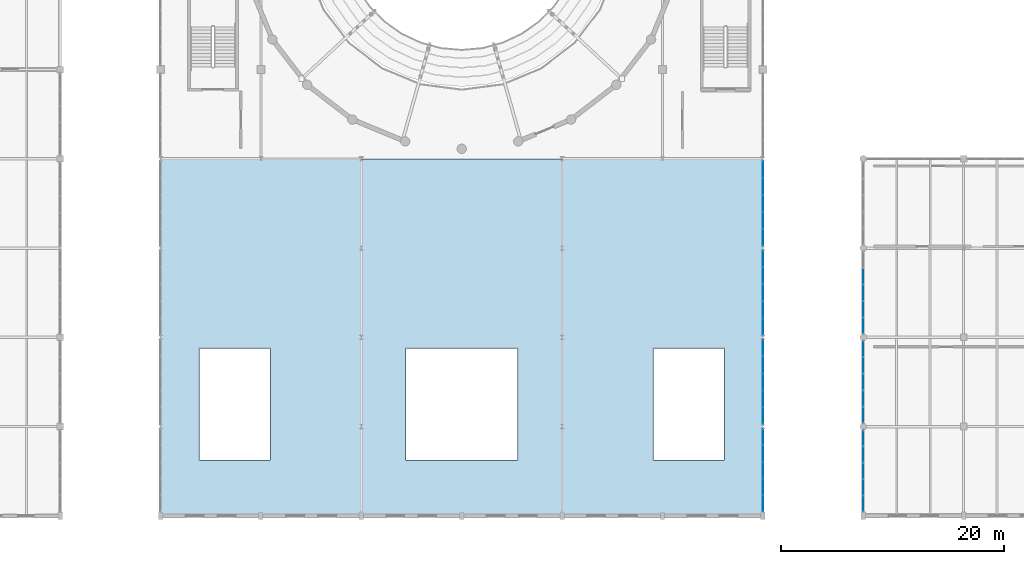
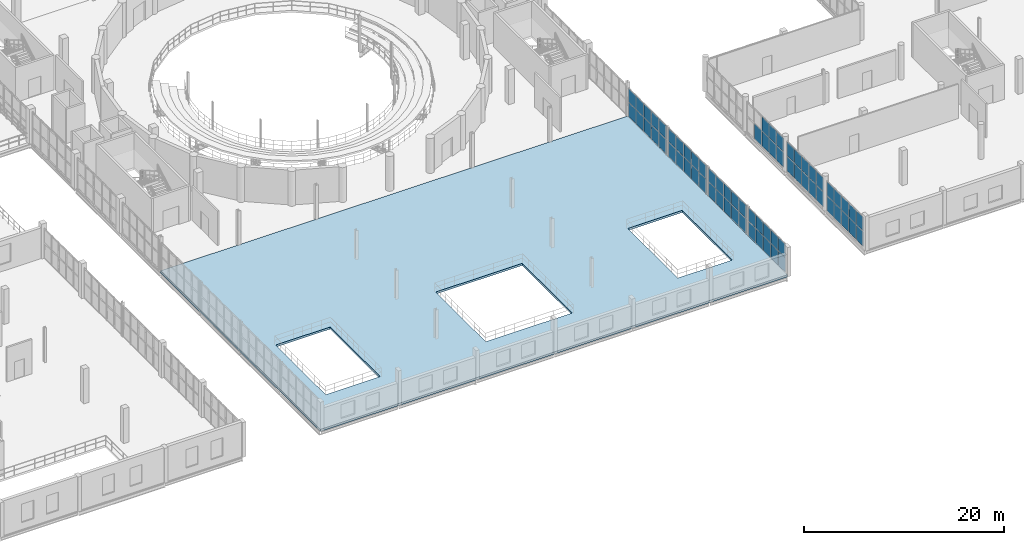
# One storey, part 47 of 73: 67 plates, 1 slab, 7 elements without a shape of their own.
"""IFC4 building model written with IfcOpenShell, lengths in metres."""

from ifc_helpers import new_model, si_unit, direction, frame, origin, origin_2d, place, context, subcontext, project, spatial, polyline, rectangle, outline, extrude, material, layer, layer_set, type_object, element, aggregate, save


model = new_model("IFC4")

# Units and contexts
model_context = context("Model", 3, precision=1e-05, world=origin(), true_north=direction((0.0, 1.0)))
body_context = subcontext(model_context, "Body", "Model", "MODEL_VIEW")
ifc_project = project(units=[si_unit("LENGTHUNIT", "METRE"), si_unit("AREAUNIT", "SQUARE_METRE"), si_unit("VOLUMEUNIT", "CUBIC_METRE"), si_unit("PLANEANGLEUNIT", "RADIAN"), si_unit("MASSUNIT", "GRAM", prefix="KILO")], contexts=[model_context])

# Site, building, storey
site_placement = place(None, origin())
site = spatial("IfcSite", under=ifc_project, at=site_placement, CompositionType="ELEMENT")
building_placement = place(site_placement, origin())
building = spatial("IfcBuilding", under=site, at=building_placement, Name="Marnock Terrace Opera House", CompositionType="ELEMENT")
storey_placement = place(building_placement, frame((0.0, 0.0, 14.699951171875)))
storey = spatial("IfcBuildingStorey", under=building, at=storey_placement, Name="L03", CompositionType="ELEMENT", Elevation=14.699951171875)

# Curtain wall, plates
ifc_material_1 = material(Name="Anodised architectural bronze aluminium framing", Category="aluminium")
ifc_layer_1 = layer(ifc_material_1, 0.159912109375)
ifc_layer_set_1 = layer_set([ifc_layer_1], Name="Anodised architectural bronze aluminium framing")
curtain_wall_type_1 = type_object("IfcCurtainWallType", Name="CW-FOYER-80x42", PredefinedType="NOTDEFINED", material=ifc_layer_set_1)
curtain_wall_1_placement = place(storey_placement, origin())
curtain_wall_1 = element("IfcCurtainWall", 1, at=curtain_wall_1_placement, inside=storey, type_object=curtain_wall_type_1, Name="L03 glazed Beaux-Arts colonnade curtain wall CW-V1E-L03-01", PredefinedType="NOTDEFINED")
ifc_material_2 = material(Name="Double-glazed acoustic low-E laminated glass", Category="glass")
ifc_layer_2 = layer(ifc_material_2, 0.028076171875)
ifc_layer_set_2 = layer_set([ifc_layer_2], Name="Double-glazed acoustic low-E laminated glass")
plate_type = type_object("IfcPlateType", Name="CWP-GLZ-28", PredefinedType="CURTAIN_PANEL", material=ifc_layer_set_2)
plate_1_placement = place(storey_placement, frame((109.0, 9.109375, 0.06005859375), z_axis=(0.0, 0.0, 1.0), x_axis=(0.0, 1.0, 0.0)))
plate_1 = element("IfcPlate", 2, at=plate_1_placement, type_object=plate_type, Name="CW-62 panel 1.1", PredefinedType="CURTAIN_PANEL", context=body_context, shape_type="SweptSolid", body=[
    extrude(rectangle(XDim=1.406494140625, YDim=0.028076171875, at=origin_2d()), origin(), (0.0, 0.0, 1.0), 1.75390625),
])
plate_2_placement = place(storey_placement, frame((109.0, 9.109375, 1.8740234375), z_axis=(0.0, 0.0, 1.0), x_axis=(0.0, 1.0, 0.0)))
plate_2 = element("IfcPlate", 3, at=plate_2_placement, type_object=plate_type, Name="CW-62 panel 1.2", PredefinedType="CURTAIN_PANEL", context=body_context, shape_type="SweptSolid", body=[
    extrude(rectangle(XDim=1.406494140625, YDim=0.028076171875, at=origin_2d()), origin(), (0.0, 0.0, 1.0), 1.612060546875),
])
plate_3_placement = place(storey_placement, frame((109.0, 10.5908203125, 0.06005859375), z_axis=(0.0, 0.0, 1.0), x_axis=(0.0, 1.0, 0.0)))
plate_3 = element("IfcPlate", 4, at=plate_3_placement, type_object=plate_type, Name="CW-62 panel 2.1", PredefinedType="CURTAIN_PANEL", context=body_context, shape_type="SweptSolid", body=[
    extrude(rectangle(XDim=1.4365234375, YDim=0.028076171875, at=origin_2d()), origin(), (0.0, 0.0, 1.0), 1.75390625),
])
plate_4_placement = place(storey_placement, frame((109.0, 10.5908203125, 1.8740234375), z_axis=(0.0, 0.0, 1.0), x_axis=(0.0, 1.0, 0.0)))
plate_4 = element("IfcPlate", 5, at=plate_4_placement, type_object=plate_type, Name="CW-62 panel 2.2", PredefinedType="CURTAIN_PANEL", context=body_context, shape_type="SweptSolid", body=[
    extrude(rectangle(XDim=1.4365234375, YDim=0.028076171875, at=origin_2d()), origin(), (0.0, 0.0, 1.0), 1.612060546875),
])
plate_5_placement = place(storey_placement, frame((109.0, 12.08740234375, 0.06005859375), z_axis=(0.0, 0.0, 1.0), x_axis=(0.0, 1.0, 0.0)))
plate_5 = element("IfcPlate", 6, at=plate_5_placement, type_object=plate_type, Name="CW-62 panel 3.1", PredefinedType="CURTAIN_PANEL", context=body_context, shape_type="SweptSolid", body=[
    extrude(rectangle(XDim=1.4365234375, YDim=0.028076171875, at=origin_2d()), origin(), (0.0, 0.0, 1.0), 1.75390625),
])
plate_6_placement = place(storey_placement, frame((109.0, 12.08740234375, 1.8740234375), z_axis=(0.0, 0.0, 1.0), x_axis=(0.0, 1.0, 0.0)))
plate_6 = element("IfcPlate", 7, at=plate_6_placement, type_object=plate_type, Name="CW-62 panel 3.2", PredefinedType="CURTAIN_PANEL", context=body_context, shape_type="SweptSolid", body=[
    extrude(rectangle(XDim=1.4365234375, YDim=0.028076171875, at=origin_2d()), origin(), (0.0, 0.0, 1.0), 1.612060546875),
])
plate_7_placement = place(storey_placement, frame((109.0, 13.583984375, 0.06005859375), z_axis=(0.0, 0.0, 1.0), x_axis=(0.0, 1.0, 0.0)))
plate_7 = element("IfcPlate", 8, at=plate_7_placement, type_object=plate_type, Name="CW-62 panel 4.1", PredefinedType="CURTAIN_PANEL", context=body_context, shape_type="SweptSolid", body=[
    extrude(rectangle(XDim=1.4365234375, YDim=0.028076171875, at=origin_2d()), origin(), (0.0, 0.0, 1.0), 1.75390625),
])
plate_8_placement = place(storey_placement, frame((109.0, 13.583984375, 1.8740234375), z_axis=(0.0, 0.0, 1.0), x_axis=(0.0, 1.0, 0.0)))
plate_8 = element("IfcPlate", 9, at=plate_8_placement, type_object=plate_type, Name="CW-62 panel 4.2", PredefinedType="CURTAIN_PANEL", context=body_context, shape_type="SweptSolid", body=[
    extrude(rectangle(XDim=1.4365234375, YDim=0.028076171875, at=origin_2d()), origin(), (0.0, 0.0, 1.0), 1.612060546875),
])
plate_9_placement = place(storey_placement, frame((109.0, 15.065673828125, 0.06005859375), z_axis=(0.0, 0.0, 1.0), x_axis=(0.0, 1.0, 0.0)))
plate_9 = element("IfcPlate", 10, at=plate_9_placement, type_object=plate_type, Name="CW-62 panel 5.1", PredefinedType="CURTAIN_PANEL", context=body_context, shape_type="SweptSolid", body=[
    extrude(rectangle(XDim=1.406494140625, YDim=0.028076171875, at=origin_2d()), origin(), (0.0, 0.0, 1.0), 1.75390625),
])
plate_10_placement = place(storey_placement, frame((109.0, 15.065673828125, 1.8740234375), z_axis=(0.0, 0.0, 1.0), x_axis=(0.0, 1.0, 0.0)))
plate_10 = element("IfcPlate", 11, at=plate_10_placement, type_object=plate_type, Name="CW-62 panel 5.2", PredefinedType="CURTAIN_PANEL", context=body_context, shape_type="SweptSolid", body=[
    extrude(rectangle(XDim=1.406494140625, YDim=0.028076171875, at=origin_2d()), origin(), (0.0, 0.0, 1.0), 1.612060546875),
])
aggregate(curtain_wall_1, [plate_1, plate_2, plate_3, plate_4, plate_5, plate_6, plate_7, plate_8, plate_9, plate_10])

curtain_wall_2_placement = place(storey_placement, origin())
curtain_wall_2 = element("IfcCurtainWall", 12, at=curtain_wall_2_placement, inside=storey, type_object=curtain_wall_type_1, Name="L03 glazed Beaux-Arts colonnade curtain wall CW-V1E-L03-02", PredefinedType="NOTDEFINED")
plate_11_placement = place(storey_placement, frame((109.0, 16.951904296875, 0.06005859375), z_axis=(0.0, 0.0, 1.0), x_axis=(0.0, 1.0, 0.0)))
plate_11 = element("IfcPlate", 13, at=plate_11_placement, type_object=plate_type, Name="CW-62 panel 1.1", PredefinedType="CURTAIN_PANEL", context=body_context, shape_type="SweptSolid", body=[
    extrude(rectangle(XDim=1.441650390625, YDim=0.028076171875, at=origin_2d()), origin(), (0.0, 0.0, 1.0), 1.75390625),
])
plate_12_placement = place(storey_placement, frame((109.0, 16.951904296875, 1.8740234375), z_axis=(0.0, 0.0, 1.0), x_axis=(0.0, 1.0, 0.0)))
plate_12 = element("IfcPlate", 14, at=plate_12_placement, type_object=plate_type, Name="CW-62 panel 1.2", PredefinedType="CURTAIN_PANEL", context=body_context, shape_type="SweptSolid", body=[
    extrude(rectangle(XDim=1.441650390625, YDim=0.028076171875, at=origin_2d()), origin(), (0.0, 0.0, 1.0), 1.612060546875),
])
plate_13_placement = place(storey_placement, frame((109.0, 18.468505859375, 0.06005859375), z_axis=(0.0, 0.0, 1.0), x_axis=(0.0, 1.0, 0.0)))
plate_13 = element("IfcPlate", 15, at=plate_13_placement, type_object=plate_type, Name="CW-62 panel 2.1", PredefinedType="CURTAIN_PANEL", context=body_context, shape_type="SweptSolid", body=[
    extrude(rectangle(XDim=1.4716796875, YDim=0.028076171875, at=origin_2d()), origin(), (0.0, 0.0, 1.0), 1.75390625),
])
plate_14_placement = place(storey_placement, frame((109.0, 18.468505859375, 1.8740234375), z_axis=(0.0, 0.0, 1.0), x_axis=(0.0, 1.0, 0.0)))
plate_14 = element("IfcPlate", 16, at=plate_14_placement, type_object=plate_type, Name="CW-62 panel 2.2", PredefinedType="CURTAIN_PANEL", context=body_context, shape_type="SweptSolid", body=[
    extrude(rectangle(XDim=1.4716796875, YDim=0.028076171875, at=origin_2d()), origin(), (0.0, 0.0, 1.0), 1.612060546875),
])
plate_15_placement = place(storey_placement, frame((109.0, 20.0, 0.06005859375), z_axis=(0.0, 0.0, 1.0), x_axis=(0.0, 1.0, 0.0)))
plate_15 = element("IfcPlate", 17, at=plate_15_placement, type_object=plate_type, Name="CW-62 panel 3.1", PredefinedType="CURTAIN_PANEL", context=body_context, shape_type="SweptSolid", body=[
    extrude(rectangle(XDim=1.4716796875, YDim=0.028076171875, at=origin_2d()), origin(), (0.0, 0.0, 1.0), 1.75390625),
])
plate_16_placement = place(storey_placement, frame((109.0, 20.0, 1.8740234375), z_axis=(0.0, 0.0, 1.0), x_axis=(0.0, 1.0, 0.0)))
plate_16 = element("IfcPlate", 18, at=plate_16_placement, type_object=plate_type, Name="CW-62 panel 3.2", PredefinedType="CURTAIN_PANEL", context=body_context, shape_type="SweptSolid", body=[
    extrude(rectangle(XDim=1.4716796875, YDim=0.028076171875, at=origin_2d()), origin(), (0.0, 0.0, 1.0), 1.612060546875),
])
plate_17_placement = place(storey_placement, frame((109.0, 21.531494140625, 0.06005859375), z_axis=(0.0, 0.0, 1.0), x_axis=(0.0, 1.0, 0.0)))
plate_17 = element("IfcPlate", 19, at=plate_17_placement, type_object=plate_type, Name="CW-62 panel 4.1", PredefinedType="CURTAIN_PANEL", context=body_context, shape_type="SweptSolid", body=[
    extrude(rectangle(XDim=1.4716796875, YDim=0.028076171875, at=origin_2d()), origin(), (0.0, 0.0, 1.0), 1.75390625),
])
plate_18_placement = place(storey_placement, frame((109.0, 21.531494140625, 1.8740234375), z_axis=(0.0, 0.0, 1.0), x_axis=(0.0, 1.0, 0.0)))
plate_18 = element("IfcPlate", 20, at=plate_18_placement, type_object=plate_type, Name="CW-62 panel 4.2", PredefinedType="CURTAIN_PANEL", context=body_context, shape_type="SweptSolid", body=[
    extrude(rectangle(XDim=1.4716796875, YDim=0.028076171875, at=origin_2d()), origin(), (0.0, 0.0, 1.0), 1.612060546875),
])
plate_19_placement = place(storey_placement, frame((109.0, 23.048095703125, 0.06005859375), z_axis=(0.0, 0.0, 1.0), x_axis=(0.0, 1.0, 0.0)))
plate_19 = element("IfcPlate", 21, at=plate_19_placement, type_object=plate_type, Name="CW-62 panel 5.1", PredefinedType="CURTAIN_PANEL", context=body_context, shape_type="SweptSolid", body=[
    extrude(rectangle(XDim=1.441650390625, YDim=0.028076171875, at=origin_2d()), origin(), (0.0, 0.0, 1.0), 1.75390625),
])
plate_20_placement = place(storey_placement, frame((109.0, 23.048095703125, 1.8740234375), z_axis=(0.0, 0.0, 1.0), x_axis=(0.0, 1.0, 0.0)))
plate_20 = element("IfcPlate", 22, at=plate_20_placement, type_object=plate_type, Name="CW-62 panel 5.2", PredefinedType="CURTAIN_PANEL", context=body_context, shape_type="SweptSolid", body=[
    extrude(rectangle(XDim=1.441650390625, YDim=0.028076171875, at=origin_2d()), origin(), (0.0, 0.0, 1.0), 1.612060546875),
])
aggregate(curtain_wall_2, [plate_11, plate_12, plate_13, plate_14, plate_15, plate_16, plate_17, plate_18, plate_19, plate_20])

curtain_wall_3_placement = place(storey_placement, origin())
curtain_wall_3 = element("IfcCurtainWall", 23, at=curtain_wall_3_placement, inside=storey, type_object=curtain_wall_type_1, Name="L03 glazed Beaux-Arts colonnade curtain wall CW-V1E-L03-03", PredefinedType="NOTDEFINED")
plate_21_placement = place(storey_placement, frame((109.0, 24.951904296875, 0.06005859375), z_axis=(0.0, 0.0, 1.0), x_axis=(0.0, 1.0, 0.0)))
plate_21 = element("IfcPlate", 24, at=plate_21_placement, type_object=plate_type, Name="CW-62 panel 1.1", PredefinedType="CURTAIN_PANEL", context=body_context, shape_type="SweptSolid", body=[
    extrude(rectangle(XDim=1.441650390625, YDim=0.028076171875, at=origin_2d()), origin(), (0.0, 0.0, 1.0), 1.75390625),
])
plate_22_placement = place(storey_placement, frame((109.0, 24.951904296875, 1.8740234375), z_axis=(0.0, 0.0, 1.0), x_axis=(0.0, 1.0, 0.0)))
plate_22 = element("IfcPlate", 25, at=plate_22_placement, type_object=plate_type, Name="CW-62 panel 1.2", PredefinedType="CURTAIN_PANEL", context=body_context, shape_type="SweptSolid", body=[
    extrude(rectangle(XDim=1.441650390625, YDim=0.028076171875, at=origin_2d()), origin(), (0.0, 0.0, 1.0), 1.612060546875),
])
plate_23_placement = place(storey_placement, frame((109.0, 26.468505859375, 0.06005859375), z_axis=(0.0, 0.0, 1.0), x_axis=(0.0, 1.0, 0.0)))
plate_23 = element("IfcPlate", 26, at=plate_23_placement, type_object=plate_type, Name="CW-62 panel 2.1", PredefinedType="CURTAIN_PANEL", context=body_context, shape_type="SweptSolid", body=[
    extrude(rectangle(XDim=1.4716796875, YDim=0.028076171875, at=origin_2d()), origin(), (0.0, 0.0, 1.0), 1.75390625),
])
plate_24_placement = place(storey_placement, frame((109.0, 26.468505859375, 1.8740234375), z_axis=(0.0, 0.0, 1.0), x_axis=(0.0, 1.0, 0.0)))
plate_24 = element("IfcPlate", 27, at=plate_24_placement, type_object=plate_type, Name="CW-62 panel 2.2", PredefinedType="CURTAIN_PANEL", context=body_context, shape_type="SweptSolid", body=[
    extrude(rectangle(XDim=1.4716796875, YDim=0.028076171875, at=origin_2d()), origin(), (0.0, 0.0, 1.0), 1.612060546875),
])
plate_25_placement = place(storey_placement, frame((109.0, 28.0, 0.06005859375), z_axis=(0.0, 0.0, 1.0), x_axis=(0.0, 1.0, 0.0)))
plate_25 = element("IfcPlate", 28, at=plate_25_placement, type_object=plate_type, Name="CW-62 panel 3.1", PredefinedType="CURTAIN_PANEL", context=body_context, shape_type="SweptSolid", body=[
    extrude(rectangle(XDim=1.4716796875, YDim=0.028076171875, at=origin_2d()), origin(), (0.0, 0.0, 1.0), 1.75390625),
])
plate_26_placement = place(storey_placement, frame((109.0, 28.0, 1.8740234375), z_axis=(0.0, 0.0, 1.0), x_axis=(0.0, 1.0, 0.0)))
plate_26 = element("IfcPlate", 29, at=plate_26_placement, type_object=plate_type, Name="CW-62 panel 3.2", PredefinedType="CURTAIN_PANEL", context=body_context, shape_type="SweptSolid", body=[
    extrude(rectangle(XDim=1.4716796875, YDim=0.028076171875, at=origin_2d()), origin(), (0.0, 0.0, 1.0), 1.612060546875),
])
plate_27_placement = place(storey_placement, frame((109.0, 29.531494140625, 0.06005859375), z_axis=(0.0, 0.0, 1.0), x_axis=(0.0, 1.0, 0.0)))
plate_27 = element("IfcPlate", 30, at=plate_27_placement, type_object=plate_type, Name="CW-62 panel 4.1", PredefinedType="CURTAIN_PANEL", context=body_context, shape_type="SweptSolid", body=[
    extrude(rectangle(XDim=1.4716796875, YDim=0.028076171875, at=origin_2d()), origin(), (0.0, 0.0, 1.0), 1.75390625),
])
plate_28_placement = place(storey_placement, frame((109.0, 29.531494140625, 1.8740234375), z_axis=(0.0, 0.0, 1.0), x_axis=(0.0, 1.0, 0.0)))
plate_28 = element("IfcPlate", 31, at=plate_28_placement, type_object=plate_type, Name="CW-62 panel 4.2", PredefinedType="CURTAIN_PANEL", context=body_context, shape_type="SweptSolid", body=[
    extrude(rectangle(XDim=1.4716796875, YDim=0.028076171875, at=origin_2d()), origin(), (0.0, 0.0, 1.0), 1.612060546875),
])
plate_29_placement = place(storey_placement, frame((109.0, 31.048095703125, 0.06005859375), z_axis=(0.0, 0.0, 1.0), x_axis=(0.0, 1.0, 0.0)))
plate_29 = element("IfcPlate", 32, at=plate_29_placement, type_object=plate_type, Name="CW-62 panel 5.1", PredefinedType="CURTAIN_PANEL", context=body_context, shape_type="SweptSolid", body=[
    extrude(rectangle(XDim=1.441650390625, YDim=0.028076171875, at=origin_2d()), origin(), (0.0, 0.0, 1.0), 1.75390625),
])
plate_30_placement = place(storey_placement, frame((109.0, 31.048095703125, 1.8740234375), z_axis=(0.0, 0.0, 1.0), x_axis=(0.0, 1.0, 0.0)))
plate_30 = element("IfcPlate", 33, at=plate_30_placement, type_object=plate_type, Name="CW-62 panel 5.2", PredefinedType="CURTAIN_PANEL", context=body_context, shape_type="SweptSolid", body=[
    extrude(rectangle(XDim=1.441650390625, YDim=0.028076171875, at=origin_2d()), origin(), (0.0, 0.0, 1.0), 1.612060546875),
])
aggregate(curtain_wall_3, [plate_21, plate_22, plate_23, plate_24, plate_25, plate_26, plate_27, plate_28, plate_29, plate_30])

curtain_wall_4_placement = place(storey_placement, origin())
curtain_wall_4 = element("IfcCurtainWall", 34, at=curtain_wall_4_placement, inside=storey, type_object=curtain_wall_type_1, Name="L03 glazed Beaux-Arts colonnade curtain wall CW-V1E-L03-04", PredefinedType="NOTDEFINED")
plate_31_placement = place(storey_placement, frame((109.0, 32.951904296875, 0.06005859375), z_axis=(0.0, 0.0, 1.0), x_axis=(0.0, 1.0, 0.0)))
plate_31 = element("IfcPlate", 35, at=plate_31_placement, type_object=plate_type, Name="CW-62 panel 1.1", PredefinedType="CURTAIN_PANEL", context=body_context, shape_type="SweptSolid", body=[
    extrude(rectangle(XDim=1.441650390625, YDim=0.028076171875, at=origin_2d()), origin(), (0.0, 0.0, 1.0), 1.75390625),
])
plate_32_placement = place(storey_placement, frame((109.0, 32.951904296875, 1.8740234375), z_axis=(0.0, 0.0, 1.0), x_axis=(0.0, 1.0, 0.0)))
plate_32 = element("IfcPlate", 36, at=plate_32_placement, type_object=plate_type, Name="CW-62 panel 1.2", PredefinedType="CURTAIN_PANEL", context=body_context, shape_type="SweptSolid", body=[
    extrude(rectangle(XDim=1.441650390625, YDim=0.028076171875, at=origin_2d()), origin(), (0.0, 0.0, 1.0), 1.612060546875),
])
plate_33_placement = place(storey_placement, frame((109.0, 34.468505859375, 0.06005859375), z_axis=(0.0, 0.0, 1.0), x_axis=(0.0, 1.0, 0.0)))
plate_33 = element("IfcPlate", 37, at=plate_33_placement, type_object=plate_type, Name="CW-62 panel 2.1", PredefinedType="CURTAIN_PANEL", context=body_context, shape_type="SweptSolid", body=[
    extrude(rectangle(XDim=1.4716796875, YDim=0.028076171875, at=origin_2d()), origin(), (0.0, 0.0, 1.0), 1.75390625),
])
plate_34_placement = place(storey_placement, frame((109.0, 34.468505859375, 1.8740234375), z_axis=(0.0, 0.0, 1.0), x_axis=(0.0, 1.0, 0.0)))
plate_34 = element("IfcPlate", 38, at=plate_34_placement, type_object=plate_type, Name="CW-62 panel 2.2", PredefinedType="CURTAIN_PANEL", context=body_context, shape_type="SweptSolid", body=[
    extrude(rectangle(XDim=1.4716796875, YDim=0.028076171875, at=origin_2d()), origin(), (0.0, 0.0, 1.0), 1.612060546875),
])
plate_35_placement = place(storey_placement, frame((109.0, 36.0, 0.06005859375), z_axis=(0.0, 0.0, 1.0), x_axis=(0.0, 1.0, 0.0)))
plate_35 = element("IfcPlate", 39, at=plate_35_placement, type_object=plate_type, Name="CW-62 panel 3.1", PredefinedType="CURTAIN_PANEL", context=body_context, shape_type="SweptSolid", body=[
    extrude(rectangle(XDim=1.4716796875, YDim=0.028076171875, at=origin_2d()), origin(), (0.0, 0.0, 1.0), 1.75390625),
])
plate_36_placement = place(storey_placement, frame((109.0, 36.0, 1.8740234375), z_axis=(0.0, 0.0, 1.0), x_axis=(0.0, 1.0, 0.0)))
plate_36 = element("IfcPlate", 40, at=plate_36_placement, type_object=plate_type, Name="CW-62 panel 3.2", PredefinedType="CURTAIN_PANEL", context=body_context, shape_type="SweptSolid", body=[
    extrude(rectangle(XDim=1.4716796875, YDim=0.028076171875, at=origin_2d()), origin(), (0.0, 0.0, 1.0), 1.612060546875),
])
plate_37_placement = place(storey_placement, frame((109.0, 37.531494140625, 0.06005859375), z_axis=(0.0, 0.0, 1.0), x_axis=(0.0, 1.0, 0.0)))
plate_37 = element("IfcPlate", 41, at=plate_37_placement, type_object=plate_type, Name="CW-62 panel 4.1", PredefinedType="CURTAIN_PANEL", context=body_context, shape_type="SweptSolid", body=[
    extrude(rectangle(XDim=1.4716796875, YDim=0.028076171875, at=origin_2d()), origin(), (0.0, 0.0, 1.0), 1.75390625),
])
plate_38_placement = place(storey_placement, frame((109.0, 37.531494140625, 1.8740234375), z_axis=(0.0, 0.0, 1.0), x_axis=(0.0, 1.0, 0.0)))
plate_38 = element("IfcPlate", 42, at=plate_38_placement, type_object=plate_type, Name="CW-62 panel 4.2", PredefinedType="CURTAIN_PANEL", context=body_context, shape_type="SweptSolid", body=[
    extrude(rectangle(XDim=1.4716796875, YDim=0.028076171875, at=origin_2d()), origin(), (0.0, 0.0, 1.0), 1.612060546875),
])
plate_39_placement = place(storey_placement, frame((109.0, 39.048095703125, 0.06005859375), z_axis=(0.0, 0.0, 1.0), x_axis=(0.0, 1.0, 0.0)))
plate_39 = element("IfcPlate", 43, at=plate_39_placement, type_object=plate_type, Name="CW-62 panel 5.1", PredefinedType="CURTAIN_PANEL", context=body_context, shape_type="SweptSolid", body=[
    extrude(rectangle(XDim=1.441650390625, YDim=0.028076171875, at=origin_2d()), origin(), (0.0, 0.0, 1.0), 1.75390625),
])
plate_40_placement = place(storey_placement, frame((109.0, 39.048095703125, 1.8740234375), z_axis=(0.0, 0.0, 1.0), x_axis=(0.0, 1.0, 0.0)))
plate_40 = element("IfcPlate", 44, at=plate_40_placement, type_object=plate_type, Name="CW-62 panel 5.2", PredefinedType="CURTAIN_PANEL", context=body_context, shape_type="SweptSolid", body=[
    extrude(rectangle(XDim=1.441650390625, YDim=0.028076171875, at=origin_2d()), origin(), (0.0, 0.0, 1.0), 1.612060546875),
])
aggregate(curtain_wall_4, [plate_31, plate_32, plate_33, plate_34, plate_35, plate_36, plate_37, plate_38, plate_39, plate_40])

ifc_layer_3 = layer(ifc_material_1, 0.159912109375)
ifc_layer_set_3 = layer_set([ifc_layer_3], Name="Anodised architectural bronze aluminium framing")
curtain_wall_type_2 = type_object("IfcCurtainWallType", Name="CW-LOGGIA-86x42", PredefinedType="NOTDEFINED", material=ifc_layer_set_3)
curtain_wall_5_placement = place(storey_placement, origin())
curtain_wall_5 = element("IfcCurtainWall", 45, at=curtain_wall_5_placement, inside=storey, type_object=curtain_wall_type_2, Name="L03 glazed Beaux-Arts colonnade curtain wall CW-V5-L03-W1", PredefinedType="NOTDEFINED")
plate_41_placement = place(storey_placement, frame((118.0, 9.0966796875, 0.06005859375), z_axis=(0.0, 0.0, 1.0), x_axis=(0.0, 1.0, 0.0)))
plate_41 = element("IfcPlate", 46, at=plate_41_placement, type_object=plate_type, Name="CW-66 panel 1.1", PredefinedType="CURTAIN_PANEL", context=body_context, shape_type="SweptSolid", body=[
    extrude(rectangle(XDim=1.381591796875, YDim=0.028076171875, at=origin_2d()), origin(), (0.0, 0.0, 1.0), 1.8193359375),
])
plate_42_placement = place(storey_placement, frame((118.0, 9.0966796875, 1.939453125), z_axis=(0.0, 0.0, 1.0), x_axis=(0.0, 1.0, 0.0)))
plate_42 = element("IfcPlate", 47, at=plate_42_placement, type_object=plate_type, Name="CW-66 panel 1.2", PredefinedType="CURTAIN_PANEL", context=body_context, shape_type="SweptSolid", body=[
    extrude(rectangle(XDim=1.381591796875, YDim=0.028076171875, at=origin_2d()), origin(), (0.0, 0.0, 1.0), 1.672607421875),
])
plate_43_placement = place(storey_placement, frame((118.0, 10.553466796875, 0.06005859375), z_axis=(0.0, 0.0, 1.0), x_axis=(0.0, 1.0, 0.0)))
plate_43 = element("IfcPlate", 48, at=plate_43_placement, type_object=plate_type, Name="CW-66 panel 2.1", PredefinedType="CURTAIN_PANEL", context=body_context, shape_type="SweptSolid", body=[
    extrude(rectangle(XDim=1.41162109375, YDim=0.028076171875, at=origin_2d()), origin(), (0.0, 0.0, 1.0), 1.8193359375),
])
plate_44_placement = place(storey_placement, frame((118.0, 10.553466796875, 1.939453125), z_axis=(0.0, 0.0, 1.0), x_axis=(0.0, 1.0, 0.0)))
plate_44 = element("IfcPlate", 49, at=plate_44_placement, type_object=plate_type, Name="CW-66 panel 2.2", PredefinedType="CURTAIN_PANEL", context=body_context, shape_type="SweptSolid", body=[
    extrude(rectangle(XDim=1.41162109375, YDim=0.028076171875, at=origin_2d()), origin(), (0.0, 0.0, 1.0), 1.672607421875),
])
plate_45_placement = place(storey_placement, frame((118.0, 12.02490234375, 0.06005859375), z_axis=(0.0, 0.0, 1.0), x_axis=(0.0, 1.0, 0.0)))
plate_45 = element("IfcPlate", 50, at=plate_45_placement, type_object=plate_type, Name="CW-66 panel 3.1", PredefinedType="CURTAIN_PANEL", context=body_context, shape_type="SweptSolid", body=[
    extrude(rectangle(XDim=1.41162109375, YDim=0.028076171875, at=origin_2d()), origin(), (0.0, 0.0, 1.0), 1.8193359375),
])
plate_46_placement = place(storey_placement, frame((118.0, 12.02490234375, 1.939453125), z_axis=(0.0, 0.0, 1.0), x_axis=(0.0, 1.0, 0.0)))
plate_46 = element("IfcPlate", 51, at=plate_46_placement, type_object=plate_type, Name="CW-66 panel 3.2", PredefinedType="CURTAIN_PANEL", context=body_context, shape_type="SweptSolid", body=[
    extrude(rectangle(XDim=1.41162109375, YDim=0.028076171875, at=origin_2d()), origin(), (0.0, 0.0, 1.0), 1.672607421875),
])
plate_47_placement = place(storey_placement, frame((118.0, 13.49658203125, 0.06005859375), z_axis=(0.0, 0.0, 1.0), x_axis=(0.0, 1.0, 0.0)))
plate_47 = element("IfcPlate", 52, at=plate_47_placement, type_object=plate_type, Name="CW-66 panel 4.1", PredefinedType="CURTAIN_PANEL", context=body_context, shape_type="SweptSolid", body=[
    extrude(rectangle(XDim=1.41162109375, YDim=0.028076171875, at=origin_2d()), origin(), (0.0, 0.0, 1.0), 1.8193359375),
])
plate_48_placement = place(storey_placement, frame((118.0, 13.49658203125, 1.939453125), z_axis=(0.0, 0.0, 1.0), x_axis=(0.0, 1.0, 0.0)))
plate_48 = element("IfcPlate", 53, at=plate_48_placement, type_object=plate_type, Name="CW-66 panel 4.2", PredefinedType="CURTAIN_PANEL", context=body_context, shape_type="SweptSolid", body=[
    extrude(rectangle(XDim=1.41162109375, YDim=0.028076171875, at=origin_2d()), origin(), (0.0, 0.0, 1.0), 1.672607421875),
])
plate_49_placement = place(storey_placement, frame((118.0, 14.953125, 0.06005859375), z_axis=(0.0, 0.0, 1.0), x_axis=(0.0, 1.0, 0.0)))
plate_49 = element("IfcPlate", 54, at=plate_49_placement, type_object=plate_type, Name="CW-66 panel 5.1", PredefinedType="CURTAIN_PANEL", context=body_context, shape_type="SweptSolid", body=[
    extrude(rectangle(XDim=1.381591796875, YDim=0.028076171875, at=origin_2d()), origin(), (0.0, 0.0, 1.0), 1.8193359375),
])
plate_50_placement = place(storey_placement, frame((118.0, 14.953125, 1.939453125), z_axis=(0.0, 0.0, 1.0), x_axis=(0.0, 1.0, 0.0)))
plate_50 = element("IfcPlate", 55, at=plate_50_placement, type_object=plate_type, Name="CW-66 panel 5.2", PredefinedType="CURTAIN_PANEL", context=body_context, shape_type="SweptSolid", body=[
    extrude(rectangle(XDim=1.381591796875, YDim=0.028076171875, at=origin_2d()), origin(), (0.0, 0.0, 1.0), 1.672607421875),
])
aggregate(curtain_wall_5, [plate_41, plate_42, plate_43, plate_44, plate_45, plate_46, plate_47, plate_48, plate_49, plate_50])

curtain_wall_6_placement = place(storey_placement, origin())
curtain_wall_6 = element("IfcCurtainWall", 56, at=curtain_wall_6_placement, inside=storey, type_object=curtain_wall_type_2, Name="L03 glazed Beaux-Arts colonnade curtain wall CW-V5-L03-W2", PredefinedType="NOTDEFINED")
plate_51_placement = place(storey_placement, frame((118.0, 17.0517578125, 0.06005859375), z_axis=(0.0, 0.0, 1.0), x_axis=(0.0, 1.0, 0.0)))
plate_51 = element("IfcPlate", 57, at=plate_51_placement, type_object=plate_type, Name="CW-66 panel 1.1", PredefinedType="CURTAIN_PANEL", context=body_context, shape_type="SweptSolid", body=[
    extrude(rectangle(XDim=1.3916015625, YDim=0.028076171875, at=origin_2d()), origin(), (0.0, 0.0, 1.0), 1.8193359375),
])
plate_52_placement = place(storey_placement, frame((118.0, 17.0517578125, 1.939453125), z_axis=(0.0, 0.0, 1.0), x_axis=(0.0, 1.0, 0.0)))
plate_52 = element("IfcPlate", 58, at=plate_52_placement, type_object=plate_type, Name="CW-66 panel 1.2", PredefinedType="CURTAIN_PANEL", context=body_context, shape_type="SweptSolid", body=[
    extrude(rectangle(XDim=1.3916015625, YDim=0.028076171875, at=origin_2d()), origin(), (0.0, 0.0, 1.0), 1.672607421875),
])
plate_53_placement = place(storey_placement, frame((118.0, 18.518310546875, 0.06005859375), z_axis=(0.0, 0.0, 1.0), x_axis=(0.0, 1.0, 0.0)))
plate_53 = element("IfcPlate", 59, at=plate_53_placement, type_object=plate_type, Name="CW-66 panel 2.1", PredefinedType="CURTAIN_PANEL", context=body_context, shape_type="SweptSolid", body=[
    extrude(rectangle(XDim=1.421630859375, YDim=0.028076171875, at=origin_2d()), origin(), (0.0, 0.0, 1.0), 1.8193359375),
])
plate_54_placement = place(storey_placement, frame((118.0, 18.518310546875, 1.939453125), z_axis=(0.0, 0.0, 1.0), x_axis=(0.0, 1.0, 0.0)))
plate_54 = element("IfcPlate", 60, at=plate_54_placement, type_object=plate_type, Name="CW-66 panel 2.2", PredefinedType="CURTAIN_PANEL", context=body_context, shape_type="SweptSolid", body=[
    extrude(rectangle(XDim=1.421630859375, YDim=0.028076171875, at=origin_2d()), origin(), (0.0, 0.0, 1.0), 1.672607421875),
])
plate_55_placement = place(storey_placement, frame((118.0, 20.0, 0.06005859375), z_axis=(0.0, 0.0, 1.0), x_axis=(0.0, 1.0, 0.0)))
plate_55 = element("IfcPlate", 61, at=plate_55_placement, type_object=plate_type, Name="CW-66 panel 3.1", PredefinedType="CURTAIN_PANEL", context=body_context, shape_type="SweptSolid", body=[
    extrude(rectangle(XDim=1.421630859375, YDim=0.028076171875, at=origin_2d()), origin(), (0.0, 0.0, 1.0), 1.8193359375),
])
plate_56_placement = place(storey_placement, frame((118.0, 20.0, 1.939453125), z_axis=(0.0, 0.0, 1.0), x_axis=(0.0, 1.0, 0.0)))
plate_56 = element("IfcPlate", 62, at=plate_56_placement, type_object=plate_type, Name="CW-66 panel 3.2", PredefinedType="CURTAIN_PANEL", context=body_context, shape_type="SweptSolid", body=[
    extrude(rectangle(XDim=1.421630859375, YDim=0.028076171875, at=origin_2d()), origin(), (0.0, 0.0, 1.0), 1.672607421875),
])
plate_57_placement = place(storey_placement, frame((118.0, 21.481689453125, 0.06005859375), z_axis=(0.0, 0.0, 1.0), x_axis=(0.0, 1.0, 0.0)))
plate_57 = element("IfcPlate", 63, at=plate_57_placement, type_object=plate_type, Name="CW-66 panel 4.1", PredefinedType="CURTAIN_PANEL", context=body_context, shape_type="SweptSolid", body=[
    extrude(rectangle(XDim=1.421630859375, YDim=0.028076171875, at=origin_2d()), origin(), (0.0, 0.0, 1.0), 1.8193359375),
])
plate_58_placement = place(storey_placement, frame((118.0, 21.481689453125, 1.939453125), z_axis=(0.0, 0.0, 1.0), x_axis=(0.0, 1.0, 0.0)))
plate_58 = element("IfcPlate", 64, at=plate_58_placement, type_object=plate_type, Name="CW-66 panel 4.2", PredefinedType="CURTAIN_PANEL", context=body_context, shape_type="SweptSolid", body=[
    extrude(rectangle(XDim=1.421630859375, YDim=0.028076171875, at=origin_2d()), origin(), (0.0, 0.0, 1.0), 1.672607421875),
])
plate_59_placement = place(storey_placement, frame((118.0, 22.9482421875, 0.06005859375), z_axis=(0.0, 0.0, 1.0), x_axis=(0.0, 1.0, 0.0)))
plate_59 = element("IfcPlate", 65, at=plate_59_placement, type_object=plate_type, Name="CW-66 panel 5.1", PredefinedType="CURTAIN_PANEL", context=body_context, shape_type="SweptSolid", body=[
    extrude(rectangle(XDim=1.3916015625, YDim=0.028076171875, at=origin_2d()), origin(), (0.0, 0.0, 1.0), 1.8193359375),
])
plate_60_placement = place(storey_placement, frame((118.0, 22.9482421875, 1.939453125), z_axis=(0.0, 0.0, 1.0), x_axis=(0.0, 1.0, 0.0)))
plate_60 = element("IfcPlate", 66, at=plate_60_placement, type_object=plate_type, Name="CW-66 panel 5.2", PredefinedType="CURTAIN_PANEL", context=body_context, shape_type="SweptSolid", body=[
    extrude(rectangle(XDim=1.3916015625, YDim=0.028076171875, at=origin_2d()), origin(), (0.0, 0.0, 1.0), 1.672607421875),
])
aggregate(curtain_wall_6, [plate_51, plate_52, plate_53, plate_54, plate_55, plate_56, plate_57, plate_58, plate_59, plate_60])

curtain_wall_7_placement = place(storey_placement, origin())
curtain_wall_7 = element("IfcCurtainWall", 67, at=curtain_wall_7_placement, inside=storey, type_object=curtain_wall_type_2, Name="L03 glazed Beaux-Arts colonnade curtain wall CW-V5-L03-W3", PredefinedType="NOTDEFINED")
plate_61_placement = place(storey_placement, frame((118.0, 25.0517578125, 0.06005859375), z_axis=(0.0, 0.0, 1.0), x_axis=(0.0, 1.0, 0.0)))
plate_61 = element("IfcPlate", 68, at=plate_61_placement, type_object=plate_type, Name="CW-66 panel 1.1", PredefinedType="CURTAIN_PANEL", context=body_context, shape_type="SweptSolid", body=[
    extrude(rectangle(XDim=1.3916015625, YDim=0.028076171875, at=origin_2d()), origin(), (0.0, 0.0, 1.0), 1.829833984375),
])
plate_62_placement = place(storey_placement, frame((118.0, 25.0517578125, 1.949951171875), z_axis=(0.0, 0.0, 1.0), x_axis=(0.0, 1.0, 0.0)))
plate_62 = element("IfcPlate", 69, at=plate_62_placement, type_object=plate_type, Name="CW-66 panel 1.2", PredefinedType="CURTAIN_PANEL", context=body_context, shape_type="SweptSolid", body=[
    extrude(rectangle(XDim=1.3916015625, YDim=0.028076171875, at=origin_2d()), origin(), (0.0, 0.0, 1.0), 1.68212890625),
])
plate_63_placement = place(storey_placement, frame((118.0, 26.518310546875, 0.06005859375), z_axis=(0.0, 0.0, 1.0), x_axis=(0.0, 1.0, 0.0)))
plate_63 = element("IfcPlate", 70, at=plate_63_placement, type_object=plate_type, Name="CW-66 panel 2.1", PredefinedType="CURTAIN_PANEL", context=body_context, shape_type="SweptSolid", body=[
    extrude(rectangle(XDim=1.421630859375, YDim=0.028076171875, at=origin_2d()), origin(), (0.0, 0.0, 1.0), 1.829833984375),
])
plate_64_placement = place(storey_placement, frame((118.0, 26.518310546875, 1.949951171875), z_axis=(0.0, 0.0, 1.0), x_axis=(0.0, 1.0, 0.0)))
plate_64 = element("IfcPlate", 71, at=plate_64_placement, type_object=plate_type, Name="CW-66 panel 2.2", PredefinedType="CURTAIN_PANEL", context=body_context, shape_type="SweptSolid", body=[
    extrude(rectangle(XDim=1.421630859375, YDim=0.028076171875, at=origin_2d()), origin(), (0.0, 0.0, 1.0), 1.68212890625),
])
plate_65_placement = place(storey_placement, frame((118.0, 28.0, 0.06005859375), z_axis=(0.0, 0.0, 1.0), x_axis=(0.0, 1.0, 0.0)))
plate_65 = element("IfcPlate", 72, at=plate_65_placement, type_object=plate_type, Name="CW-66 panel 3.1", PredefinedType="CURTAIN_PANEL", context=body_context, shape_type="SweptSolid", body=[
    extrude(rectangle(XDim=1.421630859375, YDim=0.028076171875, at=origin_2d()), origin(), (0.0, 0.0, 1.0), 1.829833984375),
])
plate_66_placement = place(storey_placement, frame((118.0, 28.0, 1.949951171875), z_axis=(0.0, 0.0, 1.0), x_axis=(0.0, 1.0, 0.0)))
plate_66 = element("IfcPlate", 73, at=plate_66_placement, type_object=plate_type, Name="CW-66 panel 3.2", PredefinedType="CURTAIN_PANEL", context=body_context, shape_type="SweptSolid", body=[
    extrude(rectangle(XDim=1.421630859375, YDim=0.028076171875, at=origin_2d()), origin(), (0.0, 0.0, 1.0), 1.68212890625),
])
plate_67_placement = place(storey_placement, frame((118.0, 29.481689453125, 0.06005859375), z_axis=(0.0, 0.0, 1.0), x_axis=(0.0, 1.0, 0.0)))
plate_67 = element("IfcPlate", 74, at=plate_67_placement, type_object=plate_type, Name="CW-66 panel 4.1", PredefinedType="CURTAIN_PANEL", context=body_context, shape_type="SweptSolid", body=[
    extrude(rectangle(XDim=1.421630859375, YDim=0.028076171875, at=origin_2d()), origin(), (0.0, 0.0, 1.0), 1.829833984375),
])
aggregate(curtain_wall_7, [plate_61, plate_62, plate_63, plate_64, plate_65, plate_66, plate_67])

# Slab
ifc_material_3 = material(Name="Concrete N40 (f'c = 40 MPa)", Category="concrete")
ifc_layer_4 = layer(ifc_material_3, 0.260009765625)
ifc_layer_set_4 = layer_set([ifc_layer_4], Name="Concrete N40 (f'c = 40 MPa)")
slab_type = type_object("IfcSlabType", Name="SL-FLR-260", PredefinedType="FLOOR", material=ifc_layer_set_4)
slab_placement = place(storey_placement, frame((0.0, 0.0, -0.260009765625)))
element("IfcSlab", 75, at=slab_placement, inside=storey, type_object=slab_type, Name="L03 Grand Hall structural floor slab", PredefinedType="FLOOR", context=body_context, shape_type="SweptSolid", body=[
    extrude(outline(polyline([(55.0, 8.0), (109.0, 8.0), (109.0, 40.0), (55.0, 40.0), (55.0, 8.0)]), holes=[polyline([(58.5, 13.0), (64.800048828125, 13.0), (64.800048828125, 23.0), (58.5, 23.0), (58.5, 13.0)]), polyline([(77.0, 13.0), (87.0, 13.0), (87.0, 23.0), (77.0, 23.0), (77.0, 13.0)]), polyline([(99.199951171875, 13.0), (105.5, 13.0), (105.5, 23.0), (99.199951171875, 23.0), (99.199951171875, 13.0)])]), origin(), (0.0, 0.0, 1.0), 0.260009765625),
])

save(model, "model.ifc")
